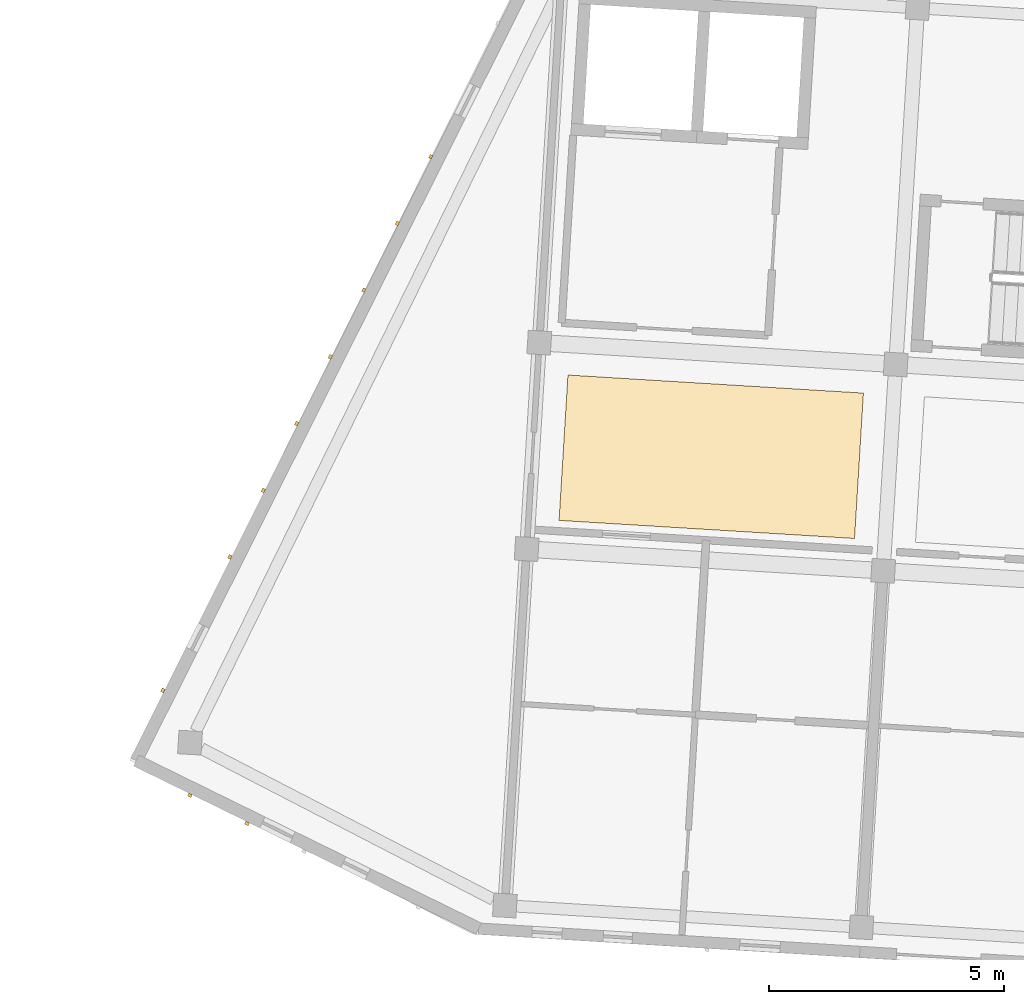
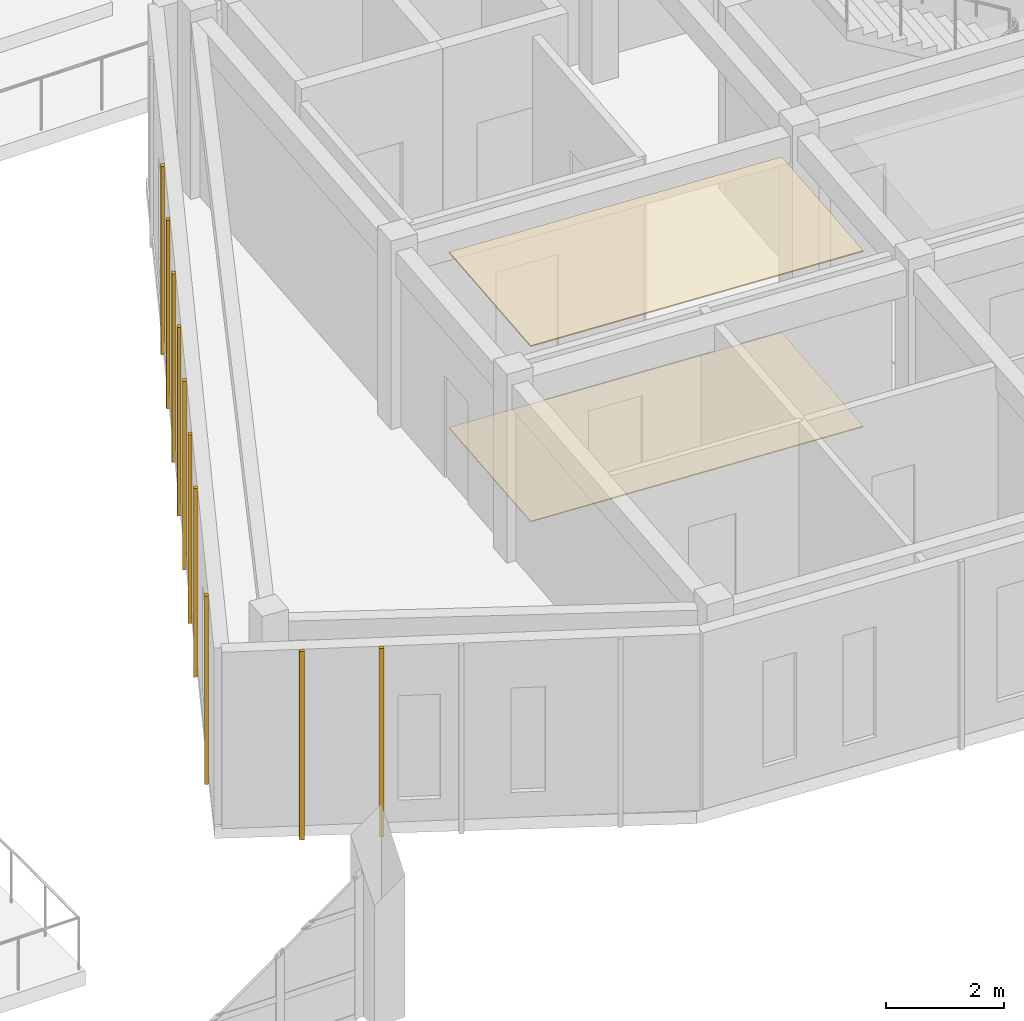
# One storey, part 113 of 150: 12 coverings.
"""IFC4 building model written with IfcOpenShell, lengths in metres."""

from ifc_helpers import new_model, si_unit, direction, frame, origin, origin_2d, place, context, subcontext, project, spatial, polyline, rectangle, outline, extrude, material, layer, layer_set, type_object, element, save


model = new_model("IFC4")

# Units and contexts
model_context = context("Model", 3, precision=1e-05, world=origin(), true_north=direction((0.0, 1.0)))
body_context = subcontext(model_context, "Body", "Model", "MODEL_VIEW")
ifc_project = project(units=[si_unit("LENGTHUNIT", "METRE"), si_unit("AREAUNIT", "SQUARE_METRE"), si_unit("VOLUMEUNIT", "CUBIC_METRE"), si_unit("PLANEANGLEUNIT", "RADIAN"), si_unit("MASSUNIT", "GRAM", prefix="KILO")], contexts=[model_context])

# Site, building, storey
site_placement = place(None, origin())
site = spatial("IfcSite", under=ifc_project, at=site_placement, CompositionType="ELEMENT")
building_placement = place(site_placement, origin())
building = spatial("IfcBuilding", under=site, at=building_placement, Name="Kestramere Prow Commons", CompositionType="ELEMENT")
storey_placement = place(building_placement, frame((0.0, 0.0, 4.5)))
storey = spatial("IfcBuildingStorey", under=building, at=storey_placement, Name="L01", CompositionType="ELEMENT", Elevation=4.5)

# Coverings
ifc_material_1 = material(Name="Mineral Fibre Acoustic Ceiling Tile")
ifc_layer_1 = layer(ifc_material_1, 0.02490234375)
ifc_layer_set_1 = layer_set([ifc_layer_1], Name="Mineral Fibre Acoustic Ceiling Tile")
covering_type_1 = type_object("IfcCoveringType", Name="COV-CEIL-ACOUSTIC", PredefinedType="CEILING", material=ifc_layer_set_1)
covering_1_placement = place(storey_placement, frame((0.0, 0.0, 3.625)))
element("IfcCovering", 1, at=covering_1_placement, inside=storey, type_object=covering_type_1, Name="Block C L01 Corridor Acoustic Ceiling 1", PredefinedType="CEILING", context=body_context, shape_type="SweptSolid", body=[
    extrude(outline(polyline([(60.65234375, 54.69482421875), (66.940673828125, 54.310302734375), (67.1298828125, 57.404541015625), (60.841796875, 57.7890625), (60.65234375, 54.69482421875)])), origin(), (0.0, 0.0, 1.0), 0.02490234375),
])
ifc_material_2 = material(Name="Weathered Zinc-Titanium Standing-Seam Cladding")
ifc_layer_2 = layer(ifc_material_2, 0.074951171875)
ifc_layer_set_2 = layer_set([ifc_layer_2], Name="Weathered Zinc-Titanium Standing-Seam Cladding")
covering_type_2 = type_object("IfcCoveringType", Name="COV-CLAD-SEAM", PredefinedType="CLADDING", material=ifc_layer_set_2)
for number, where, z_axis, x_axis, name in (
    (2, (54.01220703125, 48.24658203125, -0.25), (0.0, 0.0, 1.0), (-0.897770965065, 0.440462591245, 0.0), "EW-C-L01-PRW-S Standing-Seam Rib 4"),
    (3, (52.797119140625, 48.8427734375, -0.25), (0.0, 0.0, 1.0), (-0.897770965065, 0.440462591245, 0.0), "EW-C-L01-PRW-S Standing-Seam Rib 5"),
    (4, (52.220947265625, 51.0771484375, -0.25), (0.0, 0.0, 1.0), (0.448620327542, 0.893722441095, 0.0), "EW-C-L01-PRW-N Standing-Seam Rib 1"),
    (5, (53.646240234375, 53.916259765625, -0.25), (0.0, 0.0, 1.0), (0.448620327542, 0.893722441095, 0.0), "EW-C-L01-PRW-N Standing-Seam Rib 3"),
    (6, (54.358642578125, 55.3359375, -0.25), (0.0, 0.0, 1.0), (0.448620327542, 0.893722441095, 0.0), "EW-C-L01-PRW-N Standing-Seam Rib 4"),
    (7, (55.0712890625, 56.75537109375, -0.25), (0.0, 0.0, 1.0), (0.448620327542, 0.893722441095, 0.0), "EW-C-L01-PRW-N Standing-Seam Rib 5"),
    (8, (55.783935546875, 58.175048828125, -0.25), (0.0, 0.0, 1.0), (0.448620327542, 0.893722441095, 0.0), "EW-C-L01-PRW-N Standing-Seam Rib 6"),
    (9, (56.49658203125, 59.594482421875, -0.25), (0.0, 0.0, 1.0), (0.448620327542, 0.893722441095, 0.0), "EW-C-L01-PRW-N Standing-Seam Rib 7"),
    (10, (57.208984375, 61.01416015625, -0.25), (0.0, 0.0, 1.0), (0.448620327542, 0.893722441095, 0.0), "EW-C-L01-PRW-N Standing-Seam Rib 8"),
    (11, (57.921630859375, 62.433837890625, -0.25), (0.0, 0.0, 1.0), (0.448620327542, 0.893722441095, 0.0), "EW-C-L01-PRW-N Standing-Seam Rib 9"),
):
    element("IfcCovering", number, at=place(storey_placement, frame(where, z_axis=z_axis, x_axis=x_axis)), inside=storey, type_object=covering_type_2, Name=name, PredefinedType="CLADDING", context=body_context, shape_type="SweptSolid", body=[
        extrude(rectangle(XDim=0.0849609375, YDim=0.06494140625, at=origin_2d()), origin(), (0.0, 0.0, 1.0), 3.89990234375),
    ])
ifc_material_3 = material(Name="Honed Cementitious Terrazzo Tile")
ifc_layer_3 = layer(ifc_material_3, 0.02001953125)
ifc_layer_set_3 = layer_set([ifc_layer_3], Name="Honed Cementitious Terrazzo Tile")
covering_type_3 = type_object("IfcCoveringType", Name="COV-FLOOR-TERRAZZO", PredefinedType="FLOORING", material=ifc_layer_set_3)
covering_2_placement = place(storey_placement, origin())
element("IfcCovering", 12, at=covering_2_placement, inside=storey, type_object=covering_type_3, Name="Block C L01 Corridor Terrazzo Flooring 1", PredefinedType="FLOORING", context=body_context, shape_type="SweptSolid", body=[
    extrude(outline(polyline([(60.65234375, 54.69482421875), (66.940673828125, 54.310302734375), (67.1298828125, 57.404541015625), (60.841796875, 57.7890625), (60.65234375, 54.69482421875)])), origin(), (0.0, 0.0, 1.0), 0.02001953125),
])

save(model, "model.ifc")
